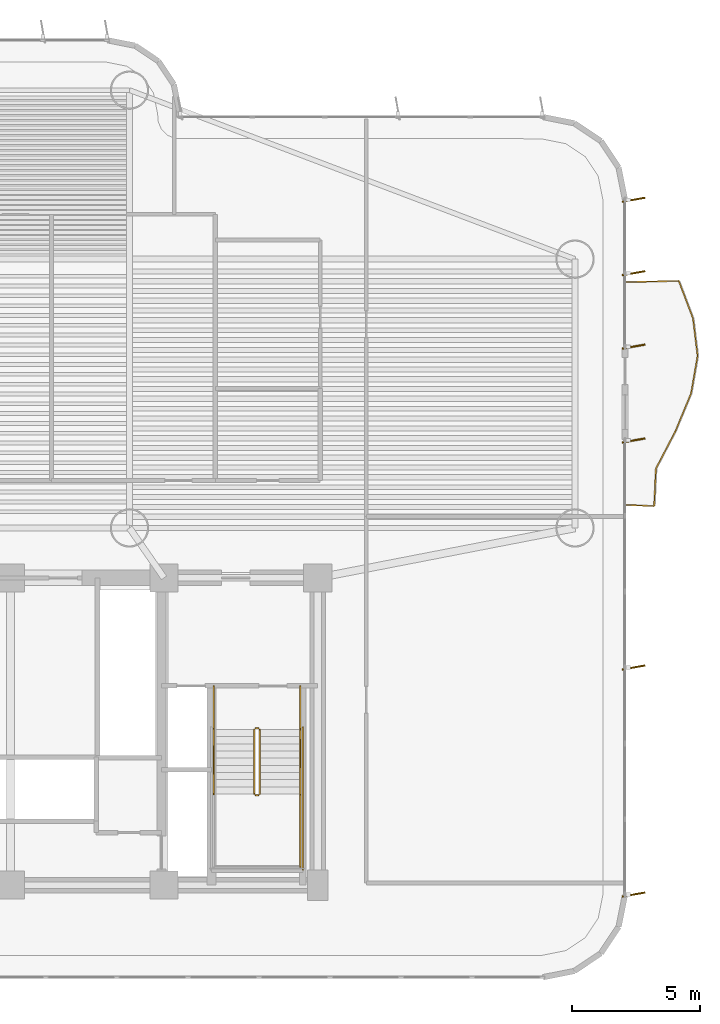
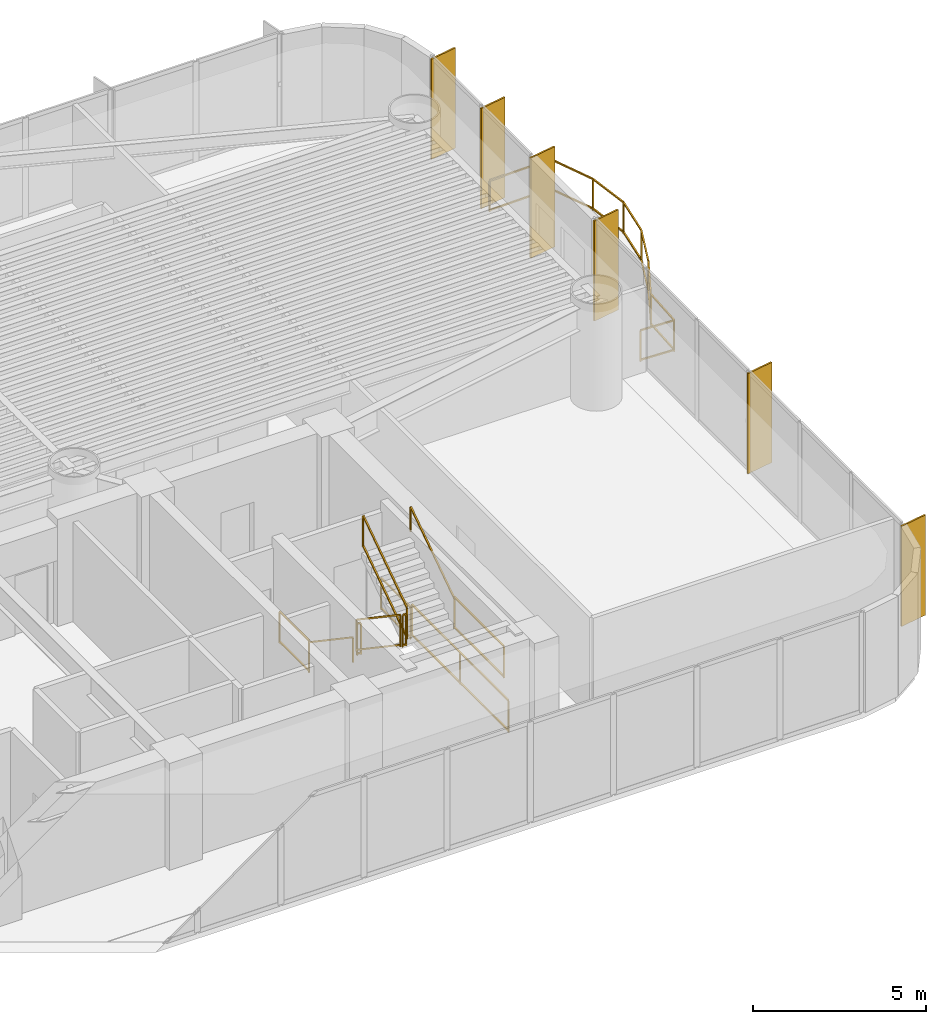
# One storey, part 15 of 16: 11 railings, 6 shading devices.
"""IFC4 building model written with IfcOpenShell, lengths in metres."""

from ifc_helpers import new_model, si_unit, direction, frame, origin, origin_2d, place, context, subcontext, project, spatial, rectangle, extrude, source, transform, mapped, material, layer, layer_set, material_profile, profile_set, type_object, element, save


model = new_model("IFC4")

# Units and contexts
model_context = context("Model", 3, precision=1e-05, world=origin(), true_north=direction((0.0, 1.0)))
body_context = subcontext(model_context, "Body", "Model", "MODEL_VIEW")
ifc_project = project(units=[si_unit("LENGTHUNIT", "METRE"), si_unit("AREAUNIT", "SQUARE_METRE"), si_unit("VOLUMEUNIT", "CUBIC_METRE"), si_unit("PLANEANGLEUNIT", "RADIAN"), si_unit("MASSUNIT", "GRAM", prefix="KILO")], contexts=[model_context])

# Site, building, storey
site_placement = place(None, origin())
site = spatial("IfcSite", under=ifc_project, at=site_placement, CompositionType="ELEMENT")
building_placement = place(site_placement, origin())
building = spatial("IfcBuilding", under=site, at=building_placement, Name="Brelvock Crest Care Tower", CompositionType="ELEMENT")
storey_placement = place(building_placement, frame((0.0, 0.0, 61.02001953125)))
storey = spatial("IfcBuildingStorey", under=building, at=storey_placement, Name="L15", CompositionType="ELEMENT", Elevation=61.02001953125)

# Railings
ifc_material_1 = material(Name="Dark Glass Double Glazed Low-E", Category="glass")
ifc_layer_1 = layer(ifc_material_1, 0.06005859375, Name="RL-BAL1")
ifc_layer_set_1 = layer_set([ifc_layer_1], Name="Dark Glass Double Glazed Low-E")
railing_type_1 = type_object("IfcRailingType", Name="RL-BAL1", PredefinedType="BALUSTRADE", material=ifc_layer_set_1)
railing_1_placement = place(storey_placement, frame((60.0400390625, 20.85009765625, 0.00390625)))
element("IfcRailing", 1, at=railing_1_placement, inside=storey, type_object=railing_type_1, Name="L15 Safety Balustrade WB-E", PredefinedType="BALUSTRADE", context=body_context, shape_type="SweptSolid", body=[
    extrude(rectangle(XDim=0.048095703125, YDim=0.048095703125, at=origin_2d()), frame((0.001953125, 0.0, 1.09619140625), z_axis=(0.998966252902, -0.045457953795, 0.0), x_axis=(0.045457953795, 0.998966252902, 0.0)), (0.0, 0.0, 1.0), 1.096923828125),
    extrude(rectangle(XDim=0.048095703125, YDim=0.048095703125, at=origin_2d()), frame((0.001953125, 0.0, 0.054931640625), z_axis=(0.998966252902, -0.045457953795, 0.0), x_axis=(0.045457953795, 0.998966252902, 0.0)), (0.0, 0.0, 1.0), 1.096923828125),
    extrude(rectangle(XDim=0.048095703125, YDim=0.048095703125, at=origin_2d()), frame((1.099853515625, -0.048095703125, 1.09619140625), z_axis=(0.047225425177, 0.998884257167, 0.0), x_axis=(-0.998884257167, 0.047225425177, 0.0)), (0.0, 0.0, 1.0), 1.464111328125),
    extrude(rectangle(XDim=0.048095703125, YDim=0.048095703125, at=origin_2d()), frame((1.099853515625, -0.048095703125, 0.054931640625), z_axis=(0.047225425177, 0.998884257167, 0.0), x_axis=(-0.998884257167, 0.047225425177, 0.0)), (0.0, 0.0, 1.0), 1.464111328125),
    extrude(rectangle(XDim=0.048095703125, YDim=0.048095703125, at=origin_2d()), frame((1.170166015625, 1.418212890625, 1.09619140625), z_axis=(0.462263335989, 0.8867426956, 0.0), x_axis=(-0.8867426956, 0.462263335989, 0.0)), (0.0, 0.0, 1.0), 1.650146484375),
    extrude(rectangle(XDim=0.048095703125, YDim=0.048095703125, at=origin_2d()), frame((1.170166015625, 1.418212890625, 0.054931640625), z_axis=(0.462263335989, 0.8867426956, 0.0), x_axis=(-0.8867426956, 0.462263335989, 0.0)), (0.0, 0.0, 1.0), 1.650146484375),
    extrude(rectangle(XDim=0.048095703125, YDim=0.048095703125, at=origin_2d()), frame((1.9345703125, 2.88525390625, 1.09619140625), z_axis=(0.383184627058, 0.923671771565, 0.0), x_axis=(-0.923671771565, 0.383184627058, 0.0)), (0.0, 0.0, 1.0), 1.583740234375),
    extrude(rectangle(XDim=0.048095703125, YDim=0.048095703125, at=origin_2d()), frame((1.9345703125, 2.88525390625, 0.054931640625), z_axis=(0.383184627058, 0.923671771565, 0.0), x_axis=(-0.923671771565, 0.383184627058, 0.0)), (0.0, 0.0, 1.0), 1.583740234375),
    extrude(rectangle(XDim=0.048095703125, YDim=0.048095703125, at=origin_2d()), frame((2.54248046875, 4.351806640625, 1.09619140625), z_axis=(0.171839377524, 0.985124981072, 0.0), x_axis=(-0.985124981072, 0.171839377524, 0.0)), (0.0, 0.0, 1.0), 1.48486328125),
    extrude(rectangle(XDim=0.048095703125, YDim=0.048095703125, at=origin_2d()), frame((2.54248046875, 4.351806640625, 0.054931640625), z_axis=(0.171839377524, 0.985124981072, 0.0), x_axis=(-0.985124981072, 0.171839377524, 0.0)), (0.0, 0.0, 1.0), 1.48486328125),
    extrude(rectangle(XDim=0.048095703125, YDim=0.048095703125, at=origin_2d()), frame((2.7978515625, 5.818603515625, 1.09619140625), z_axis=(-0.121125859225, 0.992637157388, 0.0), x_axis=(-0.992637157388, -0.121125859225, 0.0)), (0.0, 0.0, 1.0), 1.473388671875),
    extrude(rectangle(XDim=0.048095703125, YDim=0.048095703125, at=origin_2d()), frame((2.7978515625, 5.818603515625, 0.054931640625), z_axis=(-0.121125859225, 0.992637157388, 0.0), x_axis=(-0.992637157388, -0.121125859225, 0.0)), (0.0, 0.0, 1.0), 1.473388671875),
    extrude(rectangle(XDim=0.048095703125, YDim=0.048095703125, at=origin_2d()), frame((2.618408203125, 7.28515625, 1.09619140625), z_axis=(-0.354668308232, 0.93499218774, 0.0), x_axis=(-0.93499218774, -0.354668308232, 0.0)), (0.0, 0.0, 1.0), 1.564697265625),
    extrude(rectangle(XDim=0.048095703125, YDim=0.048095703125, at=origin_2d()), frame((2.618408203125, 7.28515625, 0.054931640625), z_axis=(-0.354668308232, 0.93499218774, 0.0), x_axis=(-0.93499218774, -0.354668308232, 0.0)), (0.0, 0.0, 1.0), 1.564697265625),
    extrude(rectangle(XDim=0.048095703125, YDim=0.048095703125, at=origin_2d()), frame((2.060791015625, 8.75, 1.09619140625), z_axis=(-0.999705777823, -0.024256087638, 0.0), x_axis=(0.024256087638, -0.999705777823, 0.0)), (0.0, 0.0, 1.0), 2.059326171875),
    extrude(rectangle(XDim=0.048095703125, YDim=0.048095703125, at=origin_2d()), frame((2.060791015625, 8.75, 0.054931640625), z_axis=(-0.999705777823, -0.024256087638, 0.0), x_axis=(0.024256087638, -0.999705777823, 0.0)), (0.0, 0.0, 1.0), 2.059326171875),
    extrude(rectangle(XDim=0.0419921875, YDim=0.0419921875, at=origin_2d()), origin(), (0.0, 0.0, 1.0), 1.070068359375),
    extrude(rectangle(XDim=0.0419921875, YDim=0.0419921875, at=origin_2d()), frame((1.099853515625, -0.050048828125, 0.0)), (0.0, 0.0, 1.0), 1.070068359375),
    extrude(rectangle(XDim=0.0419921875, YDim=0.0419921875, at=origin_2d()), frame((1.169189453125, 1.41650390625, 0.0)), (0.0, 0.0, 1.0), 1.070068359375),
    extrude(rectangle(XDim=0.0419921875, YDim=0.0419921875, at=origin_2d()), frame((1.933837890625, 2.88330078125, 0.0)), (0.0, 0.0, 1.0), 1.070068359375),
    extrude(rectangle(XDim=0.0419921875, YDim=0.0419921875, at=origin_2d()), frame((2.542236328125, 4.349853515625, 0.0)), (0.0, 0.0, 1.0), 1.070068359375),
    extrude(rectangle(XDim=0.0419921875, YDim=0.0419921875, at=origin_2d()), frame((2.798095703125, 5.816650390625, 0.0)), (0.0, 0.0, 1.0), 1.070068359375),
    extrude(rectangle(XDim=0.0419921875, YDim=0.0419921875, at=origin_2d()), frame((2.619140625, 7.283203125, 0.0)), (0.0, 0.0, 1.0), 1.070068359375),
    extrude(rectangle(XDim=0.0419921875, YDim=0.0419921875, at=origin_2d()), frame((2.062744140625, 8.75, 0.0)), (0.0, 0.0, 1.0), 1.070068359375),
    extrude(rectangle(XDim=0.0419921875, YDim=0.0419921875, at=origin_2d()), frame((0.0, 8.699951171875, 0.0)), (0.0, 0.0, 1.0), 1.070068359375),
])
ifc_material_2 = material(Name="Steel Grade 350", Category="steel")
ifc_layer_2 = layer(ifc_material_2, 0.050048828125, Name="RL-STG1")
ifc_layer_set_2 = layer_set([ifc_layer_2], Name="Steel Grade 350")
railing_type_2 = type_object("IfcRailingType", Name="RL-STG1", PredefinedType="GUARDRAIL", material=ifc_layer_set_2)
railing_2_placement = place(storey_placement, frame((45.52001953125, 12.080078125, 0.18896484375)))
element("IfcRailing", 2, at=railing_2_placement, inside=storey, type_object=railing_type_2, Name="L15 ST-2 stair guard 1", PredefinedType="GUARDRAIL", context=body_context, shape_type="SweptSolid", body=[
    extrude(rectangle(XDim=0.048095703125, YDim=0.048095703125, at=origin_2d()), frame((0.0, -0.001708984375, 1.116943359375), z_axis=(0.0, -0.828861706735, 0.559453546873), x_axis=(1.0, 0.0, 0.0)), (0.0, 0.0, 1.0), 3.036376953125),
    extrude(rectangle(XDim=0.048095703125, YDim=0.048095703125, at=origin_2d()), frame((0.0, -0.001708984375, 0.05615234375), z_axis=(0.0, -0.828861706735, 0.559453546873), x_axis=(1.0, 0.0, 0.0)), (0.0, 0.0, 1.0), 3.036376953125),
    extrude(rectangle(XDim=0.0419921875, YDim=0.0419921875, at=origin_2d()), origin(), (0.0, 0.0, 1.0), 1.08984375),
    extrude(rectangle(XDim=0.0419921875, YDim=0.0419921875, at=origin_2d()), frame((0.0, -2.52001953125, 1.700927734375)), (0.0, 0.0, 1.0), 1.08984375),
])
railing_3_placement = place(storey_placement, frame((45.570068359375, 9.510009765625, 1.889892578125)))
element("IfcRailing", 3, at=railing_3_placement, inside=storey, type_object=railing_type_2, Name="L15 ST-2 stair guard 2", PredefinedType="GUARDRAIL", context=body_context, shape_type="SweptSolid", body=[
    extrude(rectangle(XDim=0.048095703125, YDim=0.048095703125, at=origin_2d()), frame((0.001953125, 0.0, 1.11572265625), z_axis=(1.0, 0.0, 0.0), x_axis=(0.0, 1.0, 0.0)), (0.0, 0.0, 1.0), 0.115966796875),
    extrude(rectangle(XDim=0.048095703125, YDim=0.048095703125, at=origin_2d()), frame((0.001953125, 0.0, 0.054931640625), z_axis=(1.0, 0.0, 0.0), x_axis=(0.0, 1.0, 0.0)), (0.0, 0.0, 1.0), 0.115966796875),
    extrude(rectangle(XDim=0.0419921875, YDim=0.0419921875, at=origin_2d()), origin(), (0.0, 0.0, 1.0), 1.08984375),
    extrude(rectangle(XDim=0.0419921875, YDim=0.0419921875, at=origin_2d()), frame((0.119873046875, 0.0, 0.0)), (0.0, 0.0, 1.0), 1.08984375),
])
railing_4_placement = place(storey_placement, frame((47.320068359375, 9.56005859375, 1.889892578125)))
element("IfcRailing", 4, at=railing_4_placement, inside=storey, type_object=railing_type_2, Name="L15 ST-2 stair guard 4", PredefinedType="GUARDRAIL", context=body_context, shape_type="SweptSolid", body=[
    extrude(rectangle(XDim=0.048095703125, YDim=0.048095703125, at=origin_2d()), frame((0.0, -0.001953125, 1.11572265625), z_axis=(0.0, -1.0, 0.0), x_axis=(1.0, 0.0, 0.0)), (0.0, 0.0, 1.0), 2.856201171875),
    extrude(rectangle(XDim=0.048095703125, YDim=0.048095703125, at=origin_2d()), frame((0.0, -0.001953125, 0.054931640625), z_axis=(0.0, -1.0, 0.0), x_axis=(1.0, 0.0, 0.0)), (0.0, 0.0, 1.0), 2.856201171875),
    extrude(rectangle(XDim=0.0419921875, YDim=0.0419921875, at=origin_2d()), origin(), (0.0, 0.0, 1.0), 1.08984375),
    extrude(rectangle(XDim=0.0419921875, YDim=0.0419921875, at=origin_2d()), frame((0.0, -2.860107421875, 0.0)), (0.0, 0.0, 1.0), 1.08984375),
])
railing_5_placement = place(storey_placement, frame((45.739990234375, 9.56005859375, 2.0791015625)))
element("IfcRailing", 5, at=railing_5_placement, inside=storey, type_object=railing_type_2, Name="L15 ST-2 stair guard 6", PredefinedType="GUARDRAIL", context=body_context, shape_type="SweptSolid", body=[
    extrude(rectangle(XDim=0.048095703125, YDim=0.048095703125, at=origin_2d()), frame((0.0, 0.001708984375, 1.116943359375), z_axis=(0.0, 0.828861706735, 0.559453546873), x_axis=(-1.0, 0.0, 0.0)), (0.0, 0.0, 1.0), 3.036376953125),
    extrude(rectangle(XDim=0.048095703125, YDim=0.048095703125, at=origin_2d()), frame((0.0, 0.001708984375, 0.05615234375), z_axis=(0.0, 0.828861706735, 0.559453546873), x_axis=(-1.0, 0.0, 0.0)), (0.0, 0.0, 1.0), 3.036376953125),
    extrude(rectangle(XDim=0.0419921875, YDim=0.0419921875, at=origin_2d()), origin(), (0.0, 0.0, 1.0), 1.08984375),
    extrude(rectangle(XDim=0.0419921875, YDim=0.0419921875, at=origin_2d()), frame((0.0, 2.52001953125, 1.700927734375)), (0.0, 0.0, 1.0), 1.08984375),
])
railing_6_placement = place(storey_placement, frame((45.570068359375, 12.1298828125, 0.0)))
element("IfcRailing", 6, at=railing_6_placement, inside=storey, type_object=railing_type_2, Name="L15 ST-2 stair guard 7", PredefinedType="GUARDRAIL", context=body_context, shape_type="SweptSolid", body=[
    extrude(rectangle(XDim=0.048095703125, YDim=0.048095703125, at=origin_2d()), frame((0.001953125, 0.0, 1.11572265625), z_axis=(1.0, 0.0, 0.0), x_axis=(0.0, 1.0, 0.0)), (0.0, 0.0, 1.0), 0.115966796875),
    extrude(rectangle(XDim=0.048095703125, YDim=0.048095703125, at=origin_2d()), frame((0.001953125, 0.0, 0.054931640625), z_axis=(1.0, 0.0, 0.0), x_axis=(0.0, 1.0, 0.0)), (0.0, 0.0, 1.0), 0.115966796875),
    extrude(rectangle(XDim=0.0419921875, YDim=0.0419921875, at=origin_2d()), origin(), (0.0, 0.0, 1.0), 1.08984375),
    extrude(rectangle(XDim=0.0419921875, YDim=0.0419921875, at=origin_2d()), frame((0.119873046875, 0.0, 0.0)), (0.0, 0.0, 1.0), 1.08984375),
])
for number, where, name in (
    (7, (43.93994140625, 13.780029296875, 0.0), "L15 ST-2 stair guard 8"),
    (8, (47.320068359375, 13.780029296875, 0.0), "L15 ST-2 stair guard 9"),
):
    element("IfcRailing", number, at=place(storey_placement, frame(where)), inside=storey, type_object=railing_type_2, Name=name, PredefinedType="GUARDRAIL", context=body_context, shape_type="SweptSolid", body=[
        extrude(rectangle(XDim=0.048095703125, YDim=0.048095703125, at=origin_2d()), frame((0.0, -0.001953125, 1.11572265625), z_axis=(0.0, -1.0, 0.0), x_axis=(1.0, 0.0, 0.0)), (0.0, 0.0, 1.0), 1.696044921875),
        extrude(rectangle(XDim=0.048095703125, YDim=0.048095703125, at=origin_2d()), frame((0.0, -0.001953125, 0.054931640625), z_axis=(0.0, -1.0, 0.0), x_axis=(1.0, 0.0, 0.0)), (0.0, 0.0, 1.0), 1.696044921875),
        extrude(rectangle(XDim=0.0419921875, YDim=0.0419921875, at=origin_2d()), origin(), (0.0, 0.0, 1.0), 1.08984375),
        extrude(rectangle(XDim=0.0419921875, YDim=0.0419921875, at=origin_2d()), frame((0.0, -1.699951171875, 0.0)), (0.0, 0.0, 1.0), 1.08984375),
    ])
railing_7_placement = place(storey_placement, frame((47.419921875, 12.179931640625, 0.0)))
element("IfcRailing", 9, at=railing_7_placement, inside=storey, type_object=railing_type_2, Name="L15 ST-2 stair guard 11", PredefinedType="GUARDRAIL", context=body_context, shape_type="SweptSolid", body=[
    extrude(rectangle(XDim=0.048095703125, YDim=0.048095703125, at=origin_2d()), frame((0.0, -0.001953125, 1.11572265625), z_axis=(0.0, -1.0, 0.0), x_axis=(1.0, 0.0, 0.0)), (0.0, 0.0, 1.0), 5.575927734375),
    extrude(rectangle(XDim=0.048095703125, YDim=0.048095703125, at=origin_2d()), frame((0.0, -0.001953125, 0.054931640625), z_axis=(0.0, -1.0, 0.0), x_axis=(1.0, 0.0, 0.0)), (0.0, 0.0, 1.0), 5.575927734375),
    extrude(rectangle(XDim=0.0419921875, YDim=0.0419921875, at=origin_2d()), origin(), (0.0, 0.0, 1.0), 1.08984375),
    extrude(rectangle(XDim=0.0419921875, YDim=0.0419921875, at=origin_2d()), frame((0.0, -2.7900390625, 0.0)), (0.0, 0.0, 1.0), 1.08984375),
    extrude(rectangle(XDim=0.0419921875, YDim=0.0419921875, at=origin_2d()), frame((0.0, -5.579833984375, 0.0)), (0.0, 0.0, 1.0), 1.08984375),
])
ifc_layer_3 = layer(ifc_material_2, 0.048095703125, Name="RL-STH1")
ifc_layer_set_3 = layer_set([ifc_layer_3], Name="Steel Grade 350")
railing_type_3 = type_object("IfcRailingType", Name="RL-STH1", PredefinedType="HANDRAIL", material=ifc_layer_set_3)
railing_8_placement = place(storey_placement, frame((43.93994140625, 12.080078125, 0.18896484375)))
element("IfcRailing", 10, at=railing_8_placement, inside=storey, type_object=railing_type_3, Name="L15 ST-2 stair handrail 1", PredefinedType="HANDRAIL", context=body_context, shape_type="SweptSolid", body=[
    extrude(rectangle(XDim=0.048095703125, YDim=0.048095703125, at=origin_2d()), frame((0.0, -0.001708984375, 0.876953125), z_axis=(0.0, -0.828861706735, 0.559453546873), x_axis=(1.0, 0.0, 0.0)), (0.0, 0.0, 1.0), 3.036376953125),
    extrude(rectangle(XDim=0.0419921875, YDim=0.0419921875, at=origin_2d()), origin(), (0.0, 0.0, 1.0), 0.849853515625),
    extrude(rectangle(XDim=0.0419921875, YDim=0.0419921875, at=origin_2d()), frame((0.0, -2.52001953125, 1.700927734375)), (0.0, 0.0, 1.0), 0.849853515625),
])
railing_9_placement = place(storey_placement, frame((47.320068359375, 9.56005859375, 2.0791015625)))
element("IfcRailing", 11, at=railing_9_placement, inside=storey, type_object=railing_type_3, Name="L15 ST-2 stair handrail 2", PredefinedType="HANDRAIL", context=body_context, shape_type="SweptSolid", body=[
    extrude(rectangle(XDim=0.048095703125, YDim=0.048095703125, at=origin_2d()), frame((0.0, 0.001708984375, 0.876953125), z_axis=(0.0, 0.828861706735, 0.559453546873), x_axis=(-1.0, 0.0, 0.0)), (0.0, 0.0, 1.0), 3.036376953125),
    extrude(rectangle(XDim=0.0419921875, YDim=0.0419921875, at=origin_2d()), origin(), (0.0, 0.0, 1.0), 0.849853515625),
    extrude(rectangle(XDim=0.0419921875, YDim=0.0419921875, at=origin_2d()), frame((0.0, 2.52001953125, 1.700927734375)), (0.0, 0.0, 1.0), 0.849853515625),
])

# Shading devices
ifc_material_3 = material(Name="Aluminium 6063-T6", Category="aluminium")
ifc_material_profile = material_profile(ifc_material_3, rectangle(XDim=0.054931640625, YDim=0.89990234375, at=origin_2d()), Name="FIN55x900")
ifc_profile_set = profile_set([ifc_material_profile], Name="Aluminium 6063-T6")
shading_device_type = type_object("IfcShadingDeviceType", Name="SHD-FIN1", PredefinedType="USERDEFINED", material=ifc_profile_set)
shared_shape = source(origin(), body_context, "Body", "SweptSolid", [
    extrude(rectangle(XDim=0.054931640625, YDim=0.89990234375, at=origin_2d()), origin(), (0.0, 0.0, 1.0), 3.530029296875),
])
for number, where, z_axis, x_axis, name in (
    (12, (60.340087890625, 32.767578125, 0.0), (0.0, 0.0, 1.0), (0.173648177667, -0.984807753012, 0.0), "L15 Vertical Sunshade Fin E03A-01"),
    (13, (60.340087890625, 29.89990234375, 0.0), (0.0, 0.0, 1.0), (0.173648177667, -0.984807753012, 0.0), "L15 Vertical Sunshade Fin E03A-02"),
    (14, (60.340087890625, 27.032470703125, 0.0), (0.0, 0.0, 1.0), (0.173648177667, -0.984807753012, 0.0), "L15 Vertical Sunshade Fin E03A-03"),
    (15, (60.340087890625, 23.367431640625, 0.0), (0.0, 0.0, 1.0), (0.173648177667, -0.984807753012, 0.0), "L15 Vertical Sunshade Fin E03B-01"),
    (16, (60.340087890625, 14.5, 0.0), (0.0, 0.0, 1.0), (0.173648177667, -0.984807753012, 0.0), "L15 Vertical Sunshade Fin E03B-04"),
    (17, (60.340087890625, 5.632568359375, 0.0), (0.0, 0.0, 1.0), (0.173648177667, -0.984807753012, 0.0), "L15 Vertical Sunshade Fin E03B-07"),
):
    element("IfcShadingDevice", number, at=place(storey_placement, frame(where, z_axis=z_axis, x_axis=x_axis)), inside=storey, type_object=shading_device_type, Name=name, ObjectType="FIN", PredefinedType="USERDEFINED", context=body_context, shape_type="MappedRepresentation", body=[
        mapped(shared_shape, transform((0.0, 0.0, 0.0), x_axis=(1.0, 0.0, 0.0), y_axis=(0.0, 1.0, 0.0), z_axis=(0.0, 0.0, 1.0), scale=1.0)),
    ])

save(model, "model.ifc")
